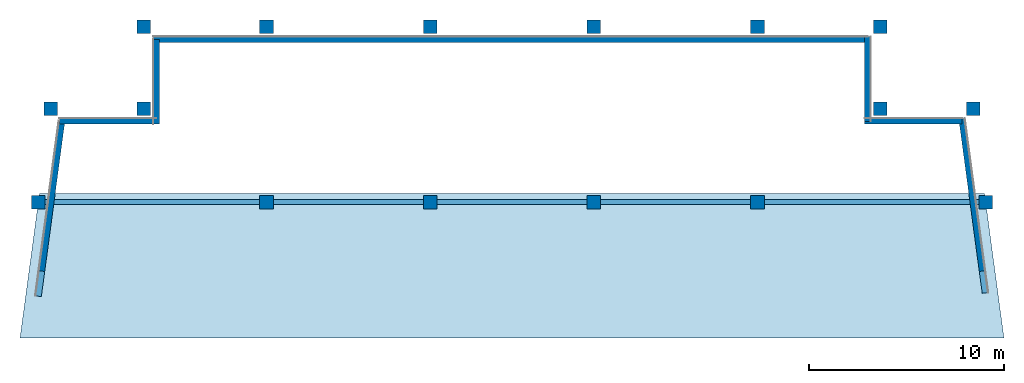
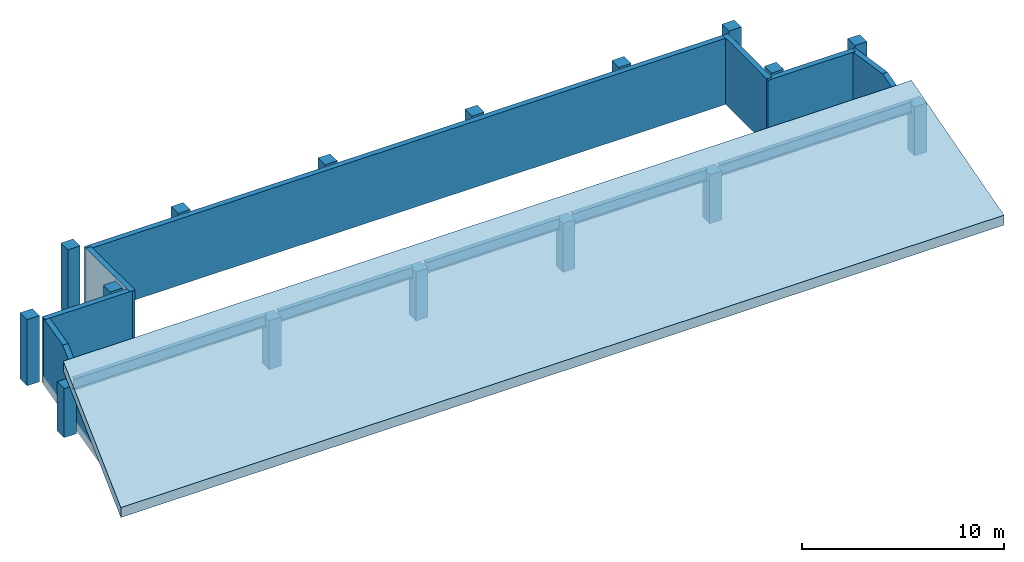
# One storey, part 1 of 2: 16 columns, 7 walls, 5 beams, 1 slab.
"""IFC4 building model written with IfcOpenShell, lengths in metres."""

from ifc_helpers import new_model, si_unit, direction, frame, frame_2d, origin, origin_2d, place, context, subcontext, project, spatial, polyline, rectangle, i_section, outline, extrude, material, layer, layer_set, material_profile, profile_set, type_object, element, save


model = new_model("IFC4")

# Units and contexts
model_context = context("Model", 3, precision=1e-05, world=origin(), true_north=direction((0.0, 1.0)))
body_context = subcontext(model_context, "Body", "Model", "MODEL_VIEW")
ifc_project = project(units=[si_unit("LENGTHUNIT", "METRE"), si_unit("AREAUNIT", "SQUARE_METRE"), si_unit("VOLUMEUNIT", "CUBIC_METRE"), si_unit("PLANEANGLEUNIT", "RADIAN"), si_unit("MASSUNIT", "GRAM", prefix="KILO")], contexts=[model_context])

# Site, building, storey
site_placement = place(None, origin())
site = spatial("IfcSite", under=ifc_project, at=site_placement, CompositionType="ELEMENT")
building_placement = place(site_placement, origin())
building = spatial("IfcBuilding", under=site, at=building_placement, Name="Candeia Pilgrim Tower and Theatre", CompositionType="ELEMENT")
storey_placement = place(building_placement, frame((0.0, 0.0, 328.39990234375)))
storey = spatial("IfcBuildingStorey", under=building, at=storey_placement, Name="L79", CompositionType="ELEMENT", Elevation=328.39990234375)

# Columns
ifc_material_1 = material(Name="Concrete C40/50", Category="concrete")
ifc_material_profile_1 = material_profile(ifc_material_1, rectangle(XDim=0.699951171875, YDim=0.699951171875, at=origin_2d()))
ifc_profile_set_1 = profile_set([ifc_material_profile_1], Name="Concrete C40/50")
column_type = type_object("IfcColumnType", Name="RC 700x700 C40/50", PredefinedType="COLUMN", material=ifc_profile_set_1)
for number, where, z_axis, x_axis, name in (
    (1, (94.5, 140.60009765625, 0.0), (0.0, 0.0, 1.0), (1.0, 0.0, 0.0), "Column NNW"),
    (2, (132.300048828125, 140.60009765625, 0.0), (0.0, 0.0, 1.0), (1.0, 0.0, 0.0), "Column NNE"),
    (3, (89.734619140625, 140.60009765625, 0.0), (0.0, 0.0, 1.0), (1.0, 0.0, 0.0), "Column LNW"),
    (4, (137.0654296875, 140.60009765625, 0.0), (0.0, 0.0, 1.0), (1.0, 0.0, 0.0), "Column LNE"),
):
    element("IfcColumn", number, at=place(storey_placement, frame(where, z_axis=z_axis, x_axis=x_axis)), inside=storey, type_object=column_type, Name=name, PredefinedType="COLUMN", context=body_context, shape_type="SweptSolid", body=[
        extrude(rectangle(XDim=0.699951171875, YDim=0.699951171875, at=origin_2d()), origin(), (0.0, 0.0, 1.0), 4.0),
    ])
for number, where, z_axis, x_axis, name in (
    (5, (100.800048828125, 135.800048828125, 0.0), (0.0, 0.0, 1.0), (1.0, 0.0, 0.0), "Column E2"),
    (6, (109.199951171875, 135.800048828125, 0.0), (0.0, 0.0, 1.0), (1.0, 0.0, 0.0), "Column E3"),
    (7, (117.60009765625, 135.800048828125, 0.0), (0.0, 0.0, 1.0), (1.0, 0.0, 0.0), "Column E4"),
    (8, (126.0, 135.800048828125, 0.0), (0.0, 0.0, 1.0), (1.0, 0.0, 0.0), "Column E5"),
    (9, (89.08837890625, 135.800048828125, 0.0), (0.0, 0.0, 1.0), (1.0, 0.0, 0.0), "Column EW"),
    (10, (137.71142578125, 135.800048828125, 0.0), (0.0, 0.0, 1.0), (1.0, 0.0, 0.0), "Column EE"),
):
    element("IfcColumn", number, at=place(storey_placement, frame(where, z_axis=z_axis, x_axis=x_axis)), inside=storey, type_object=column_type, Name=name, PredefinedType="COLUMN", context=body_context, shape_type="SweptSolid", body=[
        extrude(rectangle(XDim=0.699951171875, YDim=0.699951171875, at=origin_2d()), origin(), (0.0, 0.0, 1.0), 2.968017578125),
    ])
for number, where, z_axis, x_axis, name in (
    (11, (100.800048828125, 144.800048828125, 0.0), (0.0, 0.0, 1.0), (1.0, 0.0, 0.0), "Column F2"),
    (12, (109.199951171875, 144.800048828125, 0.0), (0.0, 0.0, 1.0), (1.0, 0.0, 0.0), "Column F3"),
    (13, (117.60009765625, 144.800048828125, 0.0), (0.0, 0.0, 1.0), (1.0, 0.0, 0.0), "Column F4"),
    (14, (126.0, 144.800048828125, 0.0), (0.0, 0.0, 1.0), (1.0, 0.0, 0.0), "Column F5"),
    (15, (94.5, 144.800048828125, 0.0), (0.0, 0.0, 1.0), (1.0, 0.0, 0.0), "Column FW"),
    (16, (132.300048828125, 144.800048828125, 0.0), (0.0, 0.0, 1.0), (1.0, 0.0, 0.0), "Column FE"),
):
    element("IfcColumn", number, at=place(storey_placement, frame(where, z_axis=z_axis, x_axis=x_axis)), inside=storey, type_object=column_type, Name=name, PredefinedType="COLUMN", context=body_context, shape_type="SweptSolid", body=[
        extrude(rectangle(XDim=0.699951171875, YDim=0.699951171875, at=origin_2d()), origin(), (0.0, 0.0, 1.0), 4.0),
    ])

# Beams
ifc_material_2 = material(Name="Structural steel ASTM A572 Grade 50", Category="steel")
ifc_material_profile_2 = material_profile(ifc_material_2, i_section(OverallWidth=0.2529296875, OverallDepth=0.677978515625, WebThickness=0.01171875, FlangeThickness=0.016357421875, FilletRadius=0.0126953125, at=origin_2d()))
ifc_profile_set_2 = profile_set([ifc_material_profile_2], Name="Structural steel ASTM A572 Grade 50")
beam_type = type_object("IfcBeamType", Name="W690x125 steel", PredefinedType="BEAM", material=ifc_profile_set_2)
beam_1_placement = place(storey_placement, frame((89.4384765625, 135.800048828125, 2.8173828125), z_axis=(1.0, 0.0, 0.0), x_axis=(0.0, 1.0, 0.0)))
element("IfcBeam", 17, at=beam_1_placement, inside=storey, type_object=beam_type, Name="Crown girder E5", PredefinedType="BEAM", context=body_context, shape_type="SweptSolid", body=[
    extrude(i_section(OverallWidth=0.2529296875, OverallDepth=0.677978515625, WebThickness=0.01171875, FlangeThickness=0.016357421875, FilletRadius=0.0126953125, at=origin_2d()), origin(), (0.0, 0.0, 1.0), 11.011474609375),
])
beam_2_placement = place(storey_placement, frame((101.14990234375, 135.800048828125, 2.8173828125), z_axis=(1.0, 0.0, 0.0), x_axis=(0.0, 1.0, 0.0)))
element("IfcBeam", 18, at=beam_2_placement, inside=storey, type_object=beam_type, Name="Crown girder E6", PredefinedType="BEAM", context=body_context, shape_type="SweptSolid", body=[
    extrude(i_section(OverallWidth=0.2529296875, OverallDepth=0.677978515625, WebThickness=0.01171875, FlangeThickness=0.016357421875, FilletRadius=0.0126953125, at=origin_2d()), origin(), (0.0, 0.0, 1.0), 7.7001953125),
])
for number, where, z_axis, x_axis, name in (
    (19, (109.550048828125, 135.800048828125, 2.8173828125), (1.0, 0.0, 0.0), (0.0, 1.0, 0.0), "Crown girder E7"),
    (20, (117.949951171875, 135.800048828125, 2.8173828125), (1.0, 0.0, 0.0), (0.0, 1.0, 0.0), "Crown girder E8"),
):
    element("IfcBeam", number, at=place(storey_placement, frame(where, z_axis=z_axis, x_axis=x_axis)), inside=storey, type_object=beam_type, Name=name, PredefinedType="BEAM", context=body_context, shape_type="SweptSolid", body=[
        extrude(i_section(OverallWidth=0.2529296875, OverallDepth=0.677978515625, WebThickness=0.01171875, FlangeThickness=0.016357421875, FilletRadius=0.0126953125, at=origin_2d()), origin(), (0.0, 0.0, 1.0), 7.699951171875),
    ])
beam_3_placement = place(storey_placement, frame((126.35009765625, 135.800048828125, 2.8173828125), z_axis=(1.0, 0.0, 0.0), x_axis=(0.0, 1.0, 0.0)))
element("IfcBeam", 21, at=beam_3_placement, inside=storey, type_object=beam_type, Name="Crown girder E9", PredefinedType="BEAM", context=body_context, shape_type="SweptSolid", body=[
    extrude(i_section(OverallWidth=0.2529296875, OverallDepth=0.677978515625, WebThickness=0.01171875, FlangeThickness=0.016357421875, FilletRadius=0.0126953125, at=origin_2d()), origin(), (0.0, 0.0, 1.0), 11.011474609375),
])

# Slab
ifc_material_3 = material(Name="Glazed ceramic tile bottle green roof panel")
ifc_layer_1 = layer(ifc_material_3, 0.60009765625)
ifc_layer_set_1 = layer_set([ifc_layer_1], Name="RF1 crown roof plane 600")
slab_type = type_object("IfcSlabType", Name="RF1 crown roof plane 600", PredefinedType="ROOF", material=ifc_layer_set_1)
slab_placement = place(storey_placement, frame((138.651123046875, 128.820556640625, 0.0), z_axis=(0.0, -0.473911797902, 0.88057231833), x_axis=(-0.117711716564, 0.874450411749, 0.470617072762)))
element("IfcSlab", 22, at=slab_placement, inside=storey, type_object=slab_type, Name="Crown roof plane L79", PredefinedType="ROOF", context=body_context, shape_type="SweptSolid", body=[
    extrude(outline(polyline([(0.0, 0.0), (8.499479155150189, 2.7755575615628914e-17), (14.20864109954924, 48.16403097318441), (5.944700330374631, 50.15109636526549), (0.0, 0.0)])), origin(), (-0.470617072762, 0.055784971231, -0.88057231833), 0.60009765625),
])

# Walls
ifc_material_4 = material(Name="Ceramic block masonry", Category="masonry")
ifc_layer_2 = layer(ifc_material_4, 0.300048828125)
ifc_layer_set_2 = layer_set([ifc_layer_2], Name="EW1 glazing-line wall 300")
wall_type = type_object("IfcWallType", Name="EW1 glazing-line wall 300", PredefinedType="SOLIDWALL", material=ifc_layer_set_2)
wall_1_placement = place(storey_placement, frame((90.302978515625, 139.949951171875, 0.0), z_axis=(0.0, 0.0, 1.0), x_axis=(-0.133417103144, -0.991059976282, 0.0)))
element("IfcWall", 23, at=wall_1_placement, inside=storey, type_object=wall_type, Name="External wall L79-0.0", PredefinedType="SOLIDWALL", context=body_context, shape_type="SweptSolid", body=[
    extrude(outline(polyline([(0.0, 0.0), (9.05810546875, 0.0), (9.05810546875, 0.50830078125), (2.51171875, 4.0), (0.0, 4.0), (0.0, 0.0)])), frame((0.0, 0.14990234375, 0.0), z_axis=(0.0, -1.0, 0.0), x_axis=(1.0, 0.0, 0.0)), (0.0, 0.0, 1.0), 0.300048828125),
])
wall_2_placement = place(storey_placement, frame((137.6826171875, 131.142822265625, 0.0), z_axis=(0.0, 0.0, 1.0), x_axis=(-0.133415591712, 0.991060179751, 0.0)))
element("IfcWall", 24, at=wall_2_placement, inside=storey, type_object=wall_type, Name="External wall L79-2.0", PredefinedType="SOLIDWALL", context=body_context, shape_type="SweptSolid", body=[
    extrude(outline(polyline([(0.0, 0.0), (9.017822265625, 0.0), (9.017578125, 4.0), (6.374755859375, 4.0), (0.0, 0.599853515625), (0.0, 0.0)])), frame((0.0, 0.14990234375, 0.0), z_axis=(0.0, -1.0, 0.0), x_axis=(1.0, 0.0, 0.0)), (0.0, 0.0, 1.0), 0.300048828125),
])
wall_3_placement = place(storey_placement, frame((136.4970703125, 139.949951171875, 0.0), z_axis=(0.0, 0.0, 1.0), x_axis=(-1.0, 0.0, 0.0)))
element("IfcWall", 25, at=wall_3_placement, inside=storey, type_object=wall_type, Name="External wall L79-3.0", PredefinedType="SOLIDWALL", context=body_context, shape_type="SweptSolid", body=[
    extrude(rectangle(XDim=4.9970703125, YDim=0.300048828125, at=frame_2d((2.49853515625, 0.0))), origin(), (0.0, 0.0, 1.0), 4.0),
])
wall_4_placement = place(storey_placement, frame((131.64990234375, 139.949951171875, 0.0), z_axis=(0.0, 0.0, 1.0), x_axis=(0.0, 1.0, 0.0)))
element("IfcWall", 26, at=wall_4_placement, inside=storey, type_object=wall_type, Name="External wall L79-4.0", PredefinedType="SOLIDWALL", context=body_context, shape_type="SweptSolid", body=[
    extrude(rectangle(XDim=4.35009765625, YDim=0.300048828125, at=frame_2d((2.175048828125, 0.0))), origin(), (0.0, 0.0, 1.0), 4.0),
])
wall_5_placement = place(storey_placement, frame((131.64990234375, 144.14990234375, 0.0), z_axis=(0.0, 0.0, 1.0), x_axis=(-1.0, 0.0, 0.0)))
element("IfcWall", 27, at=wall_5_placement, inside=storey, type_object=wall_type, Name="External wall L79-5.0", PredefinedType="SOLIDWALL", context=body_context, shape_type="SweptSolid", body=[
    extrude(rectangle(XDim=36.64990234375, YDim=0.300048828125, at=frame_2d((18.324951171875, 0.0))), origin(), (0.0, 0.0, 1.0), 4.0),
])
wall_6_placement = place(storey_placement, frame((95.14990234375, 144.14990234375, 0.0), z_axis=(0.0, 0.0, 1.0), x_axis=(0.0, -1.0, 0.0)))
element("IfcWall", 28, at=wall_6_placement, inside=storey, type_object=wall_type, Name="External wall L79-6.0", PredefinedType="SOLIDWALL", context=body_context, shape_type="SweptSolid", body=[
    extrude(rectangle(XDim=4.349853515625, YDim=0.300048828125, at=frame_2d((2.1748046875, 0.0))), origin(), (0.0, 0.0, 1.0), 4.0),
])
wall_7_placement = place(storey_placement, frame((95.14990234375, 139.949951171875, 0.0), z_axis=(0.0, 0.0, 1.0), x_axis=(-1.0, 0.0, 0.0)))
element("IfcWall", 29, at=wall_7_placement, inside=storey, type_object=wall_type, Name="External wall L79-7.0", PredefinedType="SOLIDWALL", context=body_context, shape_type="SweptSolid", body=[
    extrude(rectangle(XDim=4.97802734375, YDim=0.300048828125, at=frame_2d((2.489013671875, 0.0))), origin(), (0.0, 0.0, 1.0), 4.0),
])

save(model, "model.ifc")
